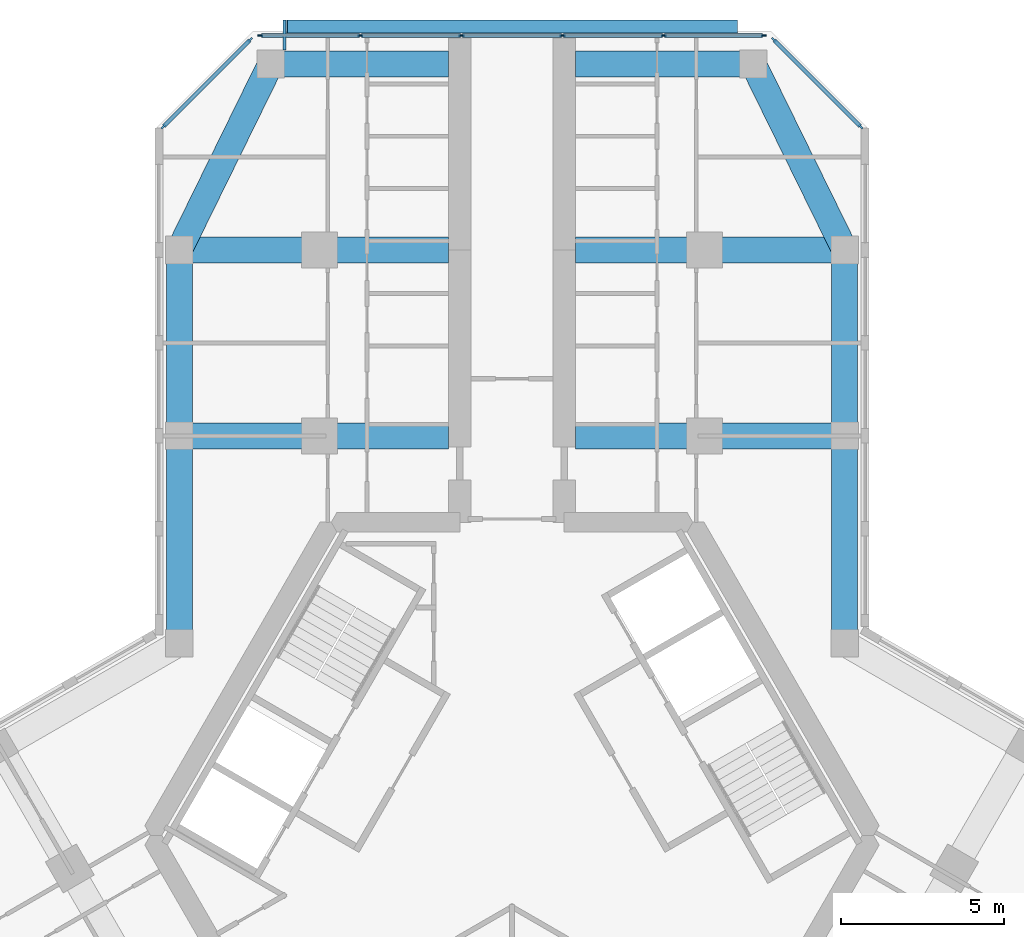
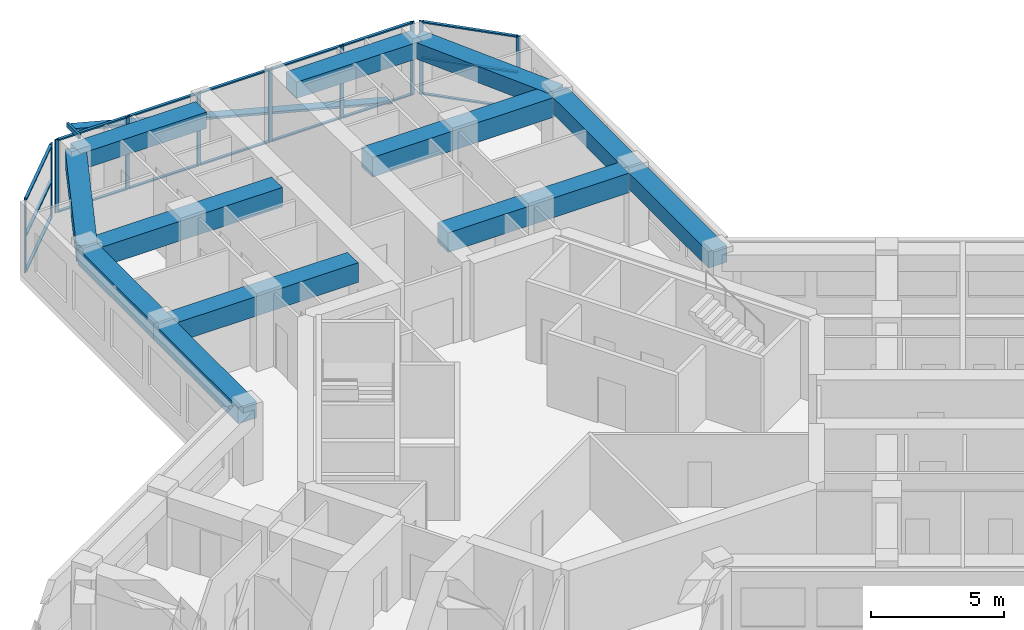
# One storey, part 6 of 16: 28 members, 12 beams, 3 elements without a shape of their own.
"""IFC4 building model written with IfcOpenShell, lengths in metres."""

from ifc_helpers import new_model, si_unit, direction, frame, origin, origin_2d, place, context, subcontext, project, spatial, rectangle, hollow_rectangle, extrude, material, material_profile, profile_set, type_object, element, aggregate, save


model = new_model("IFC4")

# Units and contexts
model_context = context("Model", 3, precision=1e-05, world=origin(), true_north=direction((0.0, 1.0)))
body_context = subcontext(model_context, "Body", "Model", "MODEL_VIEW")
ifc_project = project(units=[si_unit("LENGTHUNIT", "METRE"), si_unit("AREAUNIT", "SQUARE_METRE"), si_unit("VOLUMEUNIT", "CUBIC_METRE"), si_unit("PLANEANGLEUNIT", "RADIAN"), si_unit("MASSUNIT", "GRAM", prefix="KILO")], contexts=[model_context])

# Site, building, storey
site_placement = place(None, origin())
site = spatial("IfcSite", under=ifc_project, at=site_placement, CompositionType="ELEMENT")
building_placement = place(site_placement, origin())
building = spatial("IfcBuilding", under=site, at=building_placement, Name="Kosmar Iwan School Tower", CompositionType="ELEMENT")
storey_placement = place(building_placement, frame((0.0, 0.0, 231.60009765625)))
storey = spatial("IfcBuildingStorey", under=building, at=storey_placement, Name="L58", CompositionType="ELEMENT", Elevation=231.60009765625)

# Members
ifc_material_1 = material(Name="Black anodised aluminium", Category="aluminium")
ifc_material_profile_1 = material_profile(ifc_material_1, rectangle(XDim=0.10009765625, YDim=0.39990234375, at=origin_2d()), Name="FIN 100x400")
ifc_profile_set_1 = profile_set([ifc_material_profile_1], Name="Black anodised aluminium")
member_type_1 = type_object("IfcMemberType", Name="Diagonal fin 100x400", PredefinedType="USERDEFINED", material=ifc_profile_set_1)
member_1_placement = place(storey_placement, frame((6.898193359375, 24.800048828125, -0.150146484375), z_axis=(-0.967599450335, 0.0, 0.252490205179), x_axis=(0.252490205179, 0.0, 0.967599450335)))
element("IfcMember", 1, at=member_1_placement, inside=storey, type_object=member_type_1, Name="Diagonal fin L58-F06", ObjectType="FIN", PredefinedType="USERDEFINED", context=body_context, shape_type="SweptSolid", body=[
    extrude(rectangle(XDim=0.10009765625, YDim=0.39990234375, at=origin_2d()), origin(), (0.0, 0.0, 1.0), 14.25830078125),
])
ifc_material_2 = material(Name="Steel S355", Category="steel")
ifc_material_profile_2 = material_profile(ifc_material_2, hollow_rectangle(XDim=0.10009765625, YDim=0.199951171875, WallThickness=0.008056640625, at=origin_2d()), Name="RHS 200x100x8")
ifc_profile_set_2 = profile_set([ifc_material_profile_2], Name="Steel S355")
member_type_2 = type_object("IfcMemberType", Name="Fin bracket RHS 200x100", PredefinedType="USERDEFINED", material=ifc_profile_set_2)
member_2_placement = place(storey_placement, frame((-6.97509765625, 24.074951171875, 3.474853515625), z_axis=(0.0, 1.0, 0.0), x_axis=(-1.0, 0.0, 0.0)))
element("IfcMember", 2, at=member_2_placement, inside=storey, type_object=member_type_2, Name="Fin bracket L59", ObjectType="FIN BRACKET", PredefinedType="USERDEFINED", context=body_context, shape_type="SweptSolid", body=[
    extrude(hollow_rectangle(XDim=0.10009765625, YDim=0.199951171875, WallThickness=0.008056640625, at=origin_2d()), origin(), (0.0, 0.0, 1.0), 0.925048828125),
])

# Curtain wall, members
ifc_material_3 = material(Name="Dark glass in black aluminium frame", Category="aluminium")
curtain_wall_type_1 = type_object("IfcCurtainWallType", Name="Chamfer curtain wall dark glass", PredefinedType="USERDEFINED", material=ifc_material_3)
curtain_wall_1_placement = place(storey_placement, origin())
curtain_wall_1 = element("IfcCurtainWall", 3, at=curtain_wall_1_placement, inside=storey, type_object=curtain_wall_type_1, Name="Curtain wall L58-F05", ObjectType="FACETED CURTAIN WALL", PredefinedType="USERDEFINED")
ifc_material_4 = material(Name="Black anodised aluminium", Category="aluminium")
ifc_material_profile_3 = material_profile(ifc_material_4, rectangle(XDim=0.06005859375, YDim=0.159912109375, at=origin_2d()), Name="MULLION 60x160")
ifc_profile_set_3 = profile_set([ifc_material_profile_3], Name="Black anodised aluminium")
member_type_3 = type_object("IfcMemberType", Name="Mullion 60x160", PredefinedType="MULLION", material=ifc_profile_set_3)
member_3_placement = place(storey_placement, frame((10.69775390625, 21.7255859375, 0.0), z_axis=(0.0, 0.0, 1.0), x_axis=(-0.707106781187, -0.707106781187, 0.0)))
member_3 = element("IfcMember", 4, at=member_3_placement, type_object=member_type_3, Name="CW2 mullion 1", PredefinedType="MULLION", context=body_context, shape_type="SweptSolid", body=[
    extrude(rectangle(XDim=0.06005859375, YDim=0.159912109375, at=origin_2d()), origin(), (0.0, 0.0, 1.0), 3.349853515625),
])
member_4_placement = place(storey_placement, frame((8.025390625, 24.397705078125, 0.0), z_axis=(0.0, 0.0, 1.0), x_axis=(-0.707106781187, -0.707106781187, 0.0)))
member_4 = element("IfcMember", 5, at=member_4_placement, type_object=member_type_3, Name="CW2 mullion 2", PredefinedType="MULLION", context=body_context, shape_type="SweptSolid", body=[
    extrude(rectangle(XDim=0.06005859375, YDim=0.159912109375, at=origin_2d()), origin(), (0.0, 0.0, 1.0), 3.349853515625),
])

ifc_material_5 = material(Name="Dark glass in black aluminium frame", Category="aluminium")
curtain_wall_type_2 = type_object("IfcCurtainWallType", Name="Tower curtain wall dark glass", PredefinedType="USERDEFINED", material=ifc_material_5)
curtain_wall_2_placement = place(storey_placement, origin())
curtain_wall_2 = element("IfcCurtainWall", 6, at=curtain_wall_2_placement, inside=storey, type_object=curtain_wall_type_2, Name="Curtain wall L58-F06", ObjectType="UNITISED CURTAIN WALL", PredefinedType="USERDEFINED")
member_5_placement = place(storey_placement, frame((7.71826171875, 24.52490234375, 0.0), z_axis=(0.0, 0.0, 1.0), x_axis=(0.0, -1.0, 0.0)))
member_5 = element("IfcMember", 7, at=member_5_placement, type_object=member_type_3, Name="CW1 mullion 1", PredefinedType="MULLION", context=body_context, shape_type="SweptSolid", body=[
    extrude(rectangle(XDim=0.06005859375, YDim=0.159912109375, at=origin_2d()), origin(), (0.0, 0.0, 1.0), 3.349853515625),
])
member_6_placement = place(storey_placement, frame((4.64892578125, 24.52490234375, 0.0), z_axis=(0.0, 0.0, 1.0), x_axis=(0.0, -1.0, 0.0)))
member_6 = element("IfcMember", 8, at=member_6_placement, type_object=member_type_3, Name="CW1 mullion 2", PredefinedType="MULLION", context=body_context, shape_type="SweptSolid", body=[
    extrude(rectangle(XDim=0.06005859375, YDim=0.159912109375, at=origin_2d()), origin(), (0.0, 0.0, 1.0), 3.349853515625),
])
member_7_placement = place(storey_placement, frame((1.549560546875, 24.52490234375, 0.0), z_axis=(0.0, 0.0, 1.0), x_axis=(0.0, -1.0, 0.0)))
member_7 = element("IfcMember", 9, at=member_7_placement, type_object=member_type_3, Name="CW1 mullion 3", PredefinedType="MULLION", context=body_context, shape_type="SweptSolid", body=[
    extrude(rectangle(XDim=0.06005859375, YDim=0.159912109375, at=origin_2d()), origin(), (0.0, 0.0, 1.0), 3.349853515625),
])
member_8_placement = place(storey_placement, frame((-1.549560546875, 24.52490234375, 0.0), z_axis=(0.0, 0.0, 1.0), x_axis=(0.0, -1.0, 0.0)))
member_8 = element("IfcMember", 10, at=member_8_placement, type_object=member_type_3, Name="CW1 mullion 4", PredefinedType="MULLION", context=body_context, shape_type="SweptSolid", body=[
    extrude(rectangle(XDim=0.06005859375, YDim=0.159912109375, at=origin_2d()), origin(), (0.0, 0.0, 1.0), 3.349853515625),
])
member_9_placement = place(storey_placement, frame((-4.64892578125, 24.52490234375, 0.0), z_axis=(0.0, 0.0, 1.0), x_axis=(0.0, -1.0, 0.0)))
member_9 = element("IfcMember", 11, at=member_9_placement, type_object=member_type_3, Name="CW1 mullion 5", PredefinedType="MULLION", context=body_context, shape_type="SweptSolid", body=[
    extrude(rectangle(XDim=0.06005859375, YDim=0.159912109375, at=origin_2d()), origin(), (0.0, 0.0, 1.0), 3.349853515625),
])
member_10_placement = place(storey_placement, frame((-7.71826171875, 24.52490234375, 0.0), z_axis=(0.0, 0.0, 1.0), x_axis=(0.0, -1.0, 0.0)))
member_10 = element("IfcMember", 12, at=member_10_placement, type_object=member_type_3, Name="CW1 mullion 6", PredefinedType="MULLION", context=body_context, shape_type="SweptSolid", body=[
    extrude(rectangle(XDim=0.06005859375, YDim=0.159912109375, at=origin_2d()), origin(), (0.0, 0.0, 1.0), 3.349853515625),
])

curtain_wall_3_placement = place(storey_placement, origin())
curtain_wall_3 = element("IfcCurtainWall", 13, at=curtain_wall_3_placement, inside=storey, type_object=curtain_wall_type_1, Name="Curtain wall L58-F07", ObjectType="FACETED CURTAIN WALL", PredefinedType="USERDEFINED")
member_11_placement = place(storey_placement, frame((-8.025390625, 24.397705078125, 0.0), z_axis=(0.0, 0.0, 1.0), x_axis=(0.707106781187, -0.707106781187, 0.0)))
member_11 = element("IfcMember", 14, at=member_11_placement, type_object=member_type_3, Name="CW2 mullion 1", PredefinedType="MULLION", context=body_context, shape_type="SweptSolid", body=[
    extrude(rectangle(XDim=0.06005859375, YDim=0.159912109375, at=origin_2d()), origin(), (0.0, 0.0, 1.0), 3.349853515625),
])
member_12_placement = place(storey_placement, frame((-10.69775390625, 21.7255859375, 0.0), z_axis=(0.0, 0.0, 1.0), x_axis=(0.707106781187, -0.707106781187, 0.0)))
member_12 = element("IfcMember", 15, at=member_12_placement, type_object=member_type_3, Name="CW2 mullion 2", PredefinedType="MULLION", context=body_context, shape_type="SweptSolid", body=[
    extrude(rectangle(XDim=0.06005859375, YDim=0.159912109375, at=origin_2d()), origin(), (0.0, 0.0, 1.0), 3.349853515625),
])

# Beams
ifc_material_6 = material(Name="Concrete C50/60", Category="concrete")
ifc_material_profile_4 = material_profile(ifc_material_6, rectangle(XDim=0.800048828125, YDim=0.75, at=origin_2d()), Name="RC 800x750")
ifc_profile_set_4 = profile_set([ifc_material_profile_4], Name="Concrete C50/60")
beam_type_1 = type_object("IfcBeamType", Name="RC edge beam 800x750", PredefinedType="BEAM", material=ifc_profile_set_4)
beam_1_placement = place(storey_placement, frame((-10.199951171875, 5.888916015625, 2.974853515625), z_axis=(0.0, 1.0, 0.0), x_axis=(-1.0, 0.0, 0.0)))
element("IfcBeam", 16, at=beam_1_placement, inside=storey, type_object=beam_type_1, Name="Edge beam AL1", PredefinedType="BEAM", context=body_context, shape_type="SweptSolid", body=[
    extrude(rectangle(XDim=0.800048828125, YDim=0.75, at=origin_2d()), origin(), (0.0, 0.0, 1.0), 6.361083984375),
])
beam_2_placement = place(storey_placement, frame((-10.199951171875, 12.25, 2.974853515625), z_axis=(0.0, 1.0, 0.0), x_axis=(-1.0, 0.0, 0.0)))
element("IfcBeam", 17, at=beam_2_placement, inside=storey, type_object=beam_type_1, Name="Edge beam AL2", PredefinedType="BEAM", context=body_context, shape_type="SweptSolid", body=[
    extrude(rectangle(XDim=0.800048828125, YDim=0.75, at=origin_2d()), origin(), (0.0, 0.0, 1.0), 5.699951171875),
])
beam_3_placement = place(storey_placement, frame((10.199951171875, 5.888916015625, 2.974853515625), z_axis=(0.0, 1.0, 0.0), x_axis=(-1.0, 0.0, 0.0)))
element("IfcBeam", 18, at=beam_3_placement, inside=storey, type_object=beam_type_1, Name="Edge beam AR1", PredefinedType="BEAM", context=body_context, shape_type="SweptSolid", body=[
    extrude(rectangle(XDim=0.800048828125, YDim=0.75, at=origin_2d()), origin(), (0.0, 0.0, 1.0), 6.361083984375),
])
beam_4_placement = place(storey_placement, frame((10.199951171875, 12.25, 2.974853515625), z_axis=(0.0, 1.0, 0.0), x_axis=(-1.0, 0.0, 0.0)))
element("IfcBeam", 19, at=beam_4_placement, inside=storey, type_object=beam_type_1, Name="Edge beam AR2", PredefinedType="BEAM", context=body_context, shape_type="SweptSolid", body=[
    extrude(rectangle(XDim=0.800048828125, YDim=0.75, at=origin_2d()), origin(), (0.0, 0.0, 1.0), 5.699951171875),
])
ifc_material_7 = material(Name="Concrete C50/60", Category="concrete")
ifc_material_profile_5 = material_profile(ifc_material_7, rectangle(XDim=0.800048828125, YDim=0.75, at=origin_2d()), Name="RC 800x750")
ifc_profile_set_5 = profile_set([ifc_material_profile_5], Name="Concrete C50/60")
beam_type_2 = type_object("IfcBeamType", Name="RC tip beam 800x750", PredefinedType="BEAM", material=ifc_profile_set_5)
beam_5_placement = place(storey_placement, frame((-10.199951171875, 17.949951171875, 2.974853515625), z_axis=(0.440913116462, 0.897549788999, 0.0), x_axis=(-0.897549788999, 0.440913116462, 0.0)))
element("IfcBeam", 20, at=beam_5_placement, inside=storey, type_object=beam_type_2, Name="Tip beam AL", PredefinedType="BEAM", context=body_context, shape_type="SweptSolid", body=[
    extrude(rectangle(XDim=0.800048828125, YDim=0.75, at=origin_2d()), origin(), (0.0, 0.0, 1.0), 6.3505859375),
])
beam_6_placement = place(storey_placement, frame((-7.39990234375, 23.64990234375, 2.974853515625), z_axis=(1.0, 0.0, 0.0), x_axis=(0.0, 1.0, 0.0)))
element("IfcBeam", 21, at=beam_6_placement, inside=storey, type_object=beam_type_2, Name="Tip beam AL to corridor wall", PredefinedType="BEAM", context=body_context, shape_type="SweptSolid", body=[
    extrude(rectangle(XDim=0.800048828125, YDim=0.75, at=origin_2d()), origin(), (0.0, 0.0, 1.0), 5.449951171875),
])
beam_7_placement = place(storey_placement, frame((10.199951171875, 17.949951171875, 2.974853515625), z_axis=(-0.440913116462, 0.897549788999, 0.0), x_axis=(-0.897549788999, -0.440913116462, 0.0)))
element("IfcBeam", 22, at=beam_7_placement, inside=storey, type_object=beam_type_2, Name="Tip beam AR", PredefinedType="BEAM", context=body_context, shape_type="SweptSolid", body=[
    extrude(rectangle(XDim=0.800048828125, YDim=0.75, at=origin_2d()), origin(), (0.0, 0.0, 1.0), 6.3505859375),
])
beam_8_placement = place(storey_placement, frame((7.39990234375, 23.64990234375, 2.974853515625), z_axis=(-1.0, 0.0, 0.0), x_axis=(0.0, -1.0, 0.0)))
element("IfcBeam", 23, at=beam_8_placement, inside=storey, type_object=beam_type_2, Name="Tip beam AR to corridor wall", PredefinedType="BEAM", context=body_context, shape_type="SweptSolid", body=[
    extrude(rectangle(XDim=0.800048828125, YDim=0.75, at=origin_2d()), origin(), (0.0, 0.0, 1.0), 5.449951171875),
])
ifc_material_8 = material(Name="Concrete C50/60", Category="concrete")
ifc_material_profile_6 = material_profile(ifc_material_8, rectangle(XDim=0.800048828125, YDim=0.89990234375, at=origin_2d()), Name="RC 800x900")
ifc_profile_set_6 = profile_set([ifc_material_profile_6], Name="Concrete C50/60")
beam_type_3 = type_object("IfcBeamType", Name="RC transverse beam 800x900", PredefinedType="BEAM", material=ifc_profile_set_6)
for number, where, z_axis, x_axis, name in (
    (24, (-10.199951171875, 12.25, 2.89990234375), (1.0, 0.0, 0.0), (0.0, 1.0, 0.0), "Transverse beam AL1"),
    (25, (-10.199951171875, 17.949951171875, 2.89990234375), (1.0, 0.0, 0.0), (0.0, 1.0, 0.0), "Transverse beam AL2"),
    (26, (10.199951171875, 12.25, 2.89990234375), (-1.0, 0.0, 0.0), (0.0, -1.0, 0.0), "Transverse beam AR1"),
    (27, (10.199951171875, 17.949951171875, 2.89990234375), (-1.0, 0.0, 0.0), (0.0, -1.0, 0.0), "Transverse beam AR2"),
):
    element("IfcBeam", number, at=place(storey_placement, frame(where, z_axis=z_axis, x_axis=x_axis)), inside=storey, type_object=beam_type_3, Name=name, PredefinedType="BEAM", context=body_context, shape_type="SweptSolid", body=[
        extrude(rectangle(XDim=0.800048828125, YDim=0.89990234375, at=origin_2d()), origin(), (0.0, 0.0, 1.0), 8.25),
    ])

# Member
ifc_material_9 = material(Name="Black anodised aluminium", Category="aluminium")
ifc_material_profile_7 = material_profile(ifc_material_9, rectangle(XDim=0.1201171875, YDim=0.06005859375, at=origin_2d()), Name="TRANSOM 60x120")
ifc_profile_set_7 = profile_set([ifc_material_profile_7], Name="Black anodised aluminium")
member_type_4 = type_object("IfcMemberType", Name="Transom 60x120", PredefinedType="USERDEFINED", material=ifc_profile_set_7)
member_13_placement = place(storey_placement, frame((10.676513671875, 21.746826171875, 0.02978515625), z_axis=(-0.707139603466, 0.707073957383, 0.0), x_axis=(-0.707073957383, -0.707139603466, 0.0)))
member_13 = element("IfcMember", 28, at=member_13_placement, type_object=member_type_4, Name="CW2 transom 1.1", ObjectType="TRANSOM", PredefinedType="USERDEFINED", context=body_context, shape_type="SweptSolid", body=[
    extrude(rectangle(XDim=0.1201171875, YDim=0.06005859375, at=origin_2d()), origin(), (0.0, 0.0, 1.0), 3.718994140625),
])

member_14_placement = place(storey_placement, frame((10.676513671875, 21.746826171875, 1.6748046875), z_axis=(-0.707139603466, 0.707073957383, 0.0), x_axis=(-0.707073957383, -0.707139603466, 0.0)))
member_14 = element("IfcMember", 29, at=member_14_placement, type_object=member_type_4, Name="CW2 transom 1.2", ObjectType="TRANSOM", PredefinedType="USERDEFINED", context=body_context, shape_type="SweptSolid", body=[
    extrude(rectangle(XDim=0.1201171875, YDim=0.06005859375, at=origin_2d()), origin(), (0.0, 0.0, 1.0), 3.718994140625),
])

member_15_placement = place(storey_placement, frame((10.676513671875, 21.746826171875, 3.31982421875), z_axis=(-0.707139603466, 0.707073957383, 0.0), x_axis=(-0.707073957383, -0.707139603466, 0.0)))
member_15 = element("IfcMember", 30, at=member_15_placement, type_object=member_type_4, Name="CW2 transom 1.3", ObjectType="TRANSOM", PredefinedType="USERDEFINED", context=body_context, shape_type="SweptSolid", body=[
    extrude(rectangle(XDim=0.1201171875, YDim=0.06005859375, at=origin_2d()), origin(), (0.0, 0.0, 1.0), 3.718994140625),
])

aggregate(curtain_wall_1, [member_3, member_4, member_13, member_14, member_15])

member_16_placement = place(storey_placement, frame((7.688232421875, 24.52490234375, 0.02978515625), z_axis=(-1.0, 0.0, 0.0), x_axis=(0.0, -1.0, 0.0)))
member_16 = element("IfcMember", 31, at=member_16_placement, type_object=member_type_4, Name="CW1 transom 1.1", ObjectType="TRANSOM", PredefinedType="USERDEFINED", context=body_context, shape_type="SweptSolid", body=[
    extrude(rectangle(XDim=0.1201171875, YDim=0.06005859375, at=origin_2d()), origin(), (0.0, 0.0, 1.0), 3.00927734375),
])

member_17_placement = place(storey_placement, frame((7.688232421875, 24.52490234375, 3.31982421875), z_axis=(-1.0, 0.0, 0.0), x_axis=(0.0, -1.0, 0.0)))
member_17 = element("IfcMember", 32, at=member_17_placement, type_object=member_type_4, Name="CW1 transom 1.2", ObjectType="TRANSOM", PredefinedType="USERDEFINED", context=body_context, shape_type="SweptSolid", body=[
    extrude(rectangle(XDim=0.1201171875, YDim=0.06005859375, at=origin_2d()), origin(), (0.0, 0.0, 1.0), 3.00927734375),
])

member_18_placement = place(storey_placement, frame((4.618896484375, 24.52490234375, 0.02978515625), z_axis=(-1.0, 0.0, 0.0), x_axis=(0.0, -1.0, 0.0)))
member_18 = element("IfcMember", 33, at=member_18_placement, type_object=member_type_4, Name="CW1 transom 2.1", ObjectType="TRANSOM", PredefinedType="USERDEFINED", context=body_context, shape_type="SweptSolid", body=[
    extrude(rectangle(XDim=0.1201171875, YDim=0.06005859375, at=origin_2d()), origin(), (0.0, 0.0, 1.0), 3.039306640625),
])

member_19_placement = place(storey_placement, frame((4.618896484375, 24.52490234375, 3.31982421875), z_axis=(-1.0, 0.0, 0.0), x_axis=(0.0, -1.0, 0.0)))
member_19 = element("IfcMember", 34, at=member_19_placement, type_object=member_type_4, Name="CW1 transom 2.2", ObjectType="TRANSOM", PredefinedType="USERDEFINED", context=body_context, shape_type="SweptSolid", body=[
    extrude(rectangle(XDim=0.1201171875, YDim=0.06005859375, at=origin_2d()), origin(), (0.0, 0.0, 1.0), 3.039306640625),
])

member_20_placement = place(storey_placement, frame((1.51953125, 24.52490234375, 0.02978515625), z_axis=(-1.0, 0.0, 0.0), x_axis=(0.0, -1.0, 0.0)))
member_20 = element("IfcMember", 35, at=member_20_placement, type_object=member_type_4, Name="CW1 transom 3.1", ObjectType="TRANSOM", PredefinedType="USERDEFINED", context=body_context, shape_type="SweptSolid", body=[
    extrude(rectangle(XDim=0.1201171875, YDim=0.06005859375, at=origin_2d()), origin(), (0.0, 0.0, 1.0), 3.0390625),
])

member_21_placement = place(storey_placement, frame((1.51953125, 24.52490234375, 3.31982421875), z_axis=(-1.0, 0.0, 0.0), x_axis=(0.0, -1.0, 0.0)))
member_21 = element("IfcMember", 36, at=member_21_placement, type_object=member_type_4, Name="CW1 transom 3.2", ObjectType="TRANSOM", PredefinedType="USERDEFINED", context=body_context, shape_type="SweptSolid", body=[
    extrude(rectangle(XDim=0.1201171875, YDim=0.06005859375, at=origin_2d()), origin(), (0.0, 0.0, 1.0), 3.0390625),
])

member_22_placement = place(storey_placement, frame((-1.57958984375, 24.52490234375, 0.02978515625), z_axis=(-1.0, 0.0, 0.0), x_axis=(0.0, -1.0, 0.0)))
member_22 = element("IfcMember", 37, at=member_22_placement, type_object=member_type_4, Name="CW1 transom 4.1", ObjectType="TRANSOM", PredefinedType="USERDEFINED", context=body_context, shape_type="SweptSolid", body=[
    extrude(rectangle(XDim=0.1201171875, YDim=0.06005859375, at=origin_2d()), origin(), (0.0, 0.0, 1.0), 3.039306640625),
])

member_23_placement = place(storey_placement, frame((-1.57958984375, 24.52490234375, 3.31982421875), z_axis=(-1.0, 0.0, 0.0), x_axis=(0.0, -1.0, 0.0)))
member_23 = element("IfcMember", 38, at=member_23_placement, type_object=member_type_4, Name="CW1 transom 4.2", ObjectType="TRANSOM", PredefinedType="USERDEFINED", context=body_context, shape_type="SweptSolid", body=[
    extrude(rectangle(XDim=0.1201171875, YDim=0.06005859375, at=origin_2d()), origin(), (0.0, 0.0, 1.0), 3.039306640625),
])

member_24_placement = place(storey_placement, frame((-4.678955078125, 24.52490234375, 0.02978515625), z_axis=(-1.0, 0.0, 0.0), x_axis=(0.0, -1.0, 0.0)))
member_24 = element("IfcMember", 39, at=member_24_placement, type_object=member_type_4, Name="CW1 transom 5.1", ObjectType="TRANSOM", PredefinedType="USERDEFINED", context=body_context, shape_type="SweptSolid", body=[
    extrude(rectangle(XDim=0.1201171875, YDim=0.06005859375, at=origin_2d()), origin(), (0.0, 0.0, 1.0), 3.00927734375),
])

member_25_placement = place(storey_placement, frame((-4.678955078125, 24.52490234375, 3.31982421875), z_axis=(-1.0, 0.0, 0.0), x_axis=(0.0, -1.0, 0.0)))
member_25 = element("IfcMember", 40, at=member_25_placement, type_object=member_type_4, Name="CW1 transom 5.2", ObjectType="TRANSOM", PredefinedType="USERDEFINED", context=body_context, shape_type="SweptSolid", body=[
    extrude(rectangle(XDim=0.1201171875, YDim=0.06005859375, at=origin_2d()), origin(), (0.0, 0.0, 1.0), 3.00927734375),
])

aggregate(curtain_wall_2, [member_5, member_6, member_7, member_8, member_9, member_10, member_16, member_17, member_18, member_19, member_20, member_21, member_22, member_23, member_24, member_25])

member_26_placement = place(storey_placement, frame((-8.046630859375, 24.37646484375, 0.02978515625), z_axis=(-0.707139603466, -0.707073957383, 0.0), x_axis=(0.707073957383, -0.707139603466, 0.0)))
member_26 = element("IfcMember", 41, at=member_26_placement, type_object=member_type_4, Name="CW2 transom 1.1", ObjectType="TRANSOM", PredefinedType="USERDEFINED", context=body_context, shape_type="SweptSolid", body=[
    extrude(rectangle(XDim=0.1201171875, YDim=0.06005859375, at=origin_2d()), origin(), (0.0, 0.0, 1.0), 3.718994140625),
])

member_27_placement = place(storey_placement, frame((-8.046630859375, 24.37646484375, 1.6748046875), z_axis=(-0.707139603466, -0.707073957383, 0.0), x_axis=(0.707073957383, -0.707139603466, 0.0)))
member_27 = element("IfcMember", 42, at=member_27_placement, type_object=member_type_4, Name="CW2 transom 1.2", ObjectType="TRANSOM", PredefinedType="USERDEFINED", context=body_context, shape_type="SweptSolid", body=[
    extrude(rectangle(XDim=0.1201171875, YDim=0.06005859375, at=origin_2d()), origin(), (0.0, 0.0, 1.0), 3.718994140625),
])

member_28_placement = place(storey_placement, frame((-8.046630859375, 24.37646484375, 3.31982421875), z_axis=(-0.707139603466, -0.707073957383, 0.0), x_axis=(0.707073957383, -0.707139603466, 0.0)))
member_28 = element("IfcMember", 43, at=member_28_placement, type_object=member_type_4, Name="CW2 transom 1.3", ObjectType="TRANSOM", PredefinedType="USERDEFINED", context=body_context, shape_type="SweptSolid", body=[
    extrude(rectangle(XDim=0.1201171875, YDim=0.06005859375, at=origin_2d()), origin(), (0.0, 0.0, 1.0), 3.718994140625),
])

aggregate(curtain_wall_3, [member_11, member_12, member_26, member_27, member_28])

save(model, "model.ifc")
